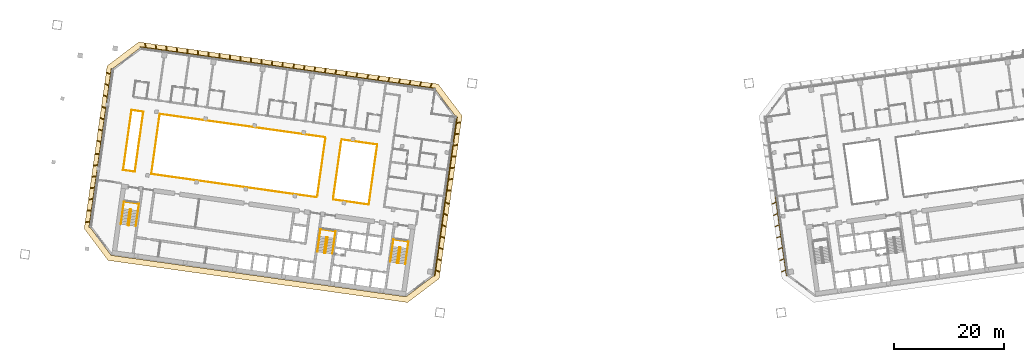
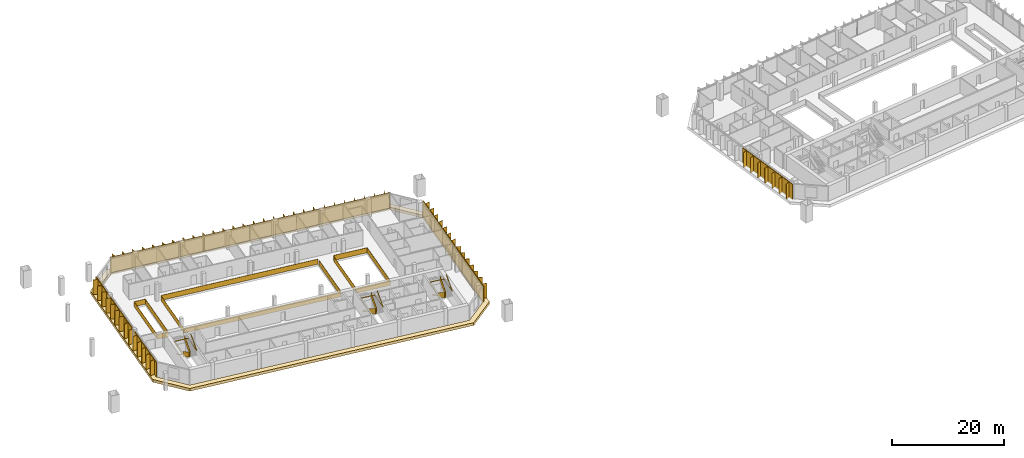
# One storey, part 25 of 26: 11 railings, 9 shading devices, 1 covering.
"""IFC4 building model written with IfcOpenShell, lengths in metres."""

from ifc_helpers import new_model, si_unit, direction, frame, origin, origin_2d, place, context, subcontext, project, spatial, polyline, rectangle, outline, extrude, material, layer, layer_set, type_object, element, save


model = new_model("IFC4")

# Units and contexts
model_context = context("Model", 3, precision=1e-05, world=origin(), true_north=direction((0.0, 1.0)))
body_context = subcontext(model_context, "Body", "Model", "MODEL_VIEW")
ifc_project = project(units=[si_unit("LENGTHUNIT", "METRE"), si_unit("AREAUNIT", "SQUARE_METRE"), si_unit("VOLUMEUNIT", "CUBIC_METRE"), si_unit("PLANEANGLEUNIT", "RADIAN"), si_unit("MASSUNIT", "GRAM", prefix="KILO")], contexts=[model_context])

# Site, building, storey
site_placement = place(None, origin())
site = spatial("IfcSite", under=ifc_project, at=site_placement, CompositionType="ELEMENT")
building_placement = place(site_placement, origin())
building = spatial("IfcBuilding", under=site, at=building_placement, Name="Mirante Cascada Hotel Towers", CompositionType="ELEMENT")
storey_placement = place(building_placement, frame((0.0, 0.0, 98.7)))
storey = spatial("IfcBuildingStorey", under=building, at=storey_placement, Name="L21", CompositionType="ELEMENT", Elevation=98.7)

# Railings
ifc_material_1 = material(Name="Toughened glass with stainless steel handrail", Category="steel")
railing_type_1 = type_object("IfcRailingType", Name="Atrium guard 1100 glass balustrade", PredefinedType="GUARDRAIL", material=ifc_material_1)
railing_1_placement = place(storey_placement, frame((-48.76, 8.3112, 0.0)))
element("IfcRailing", 1, at=railing_1_placement, inside=storey, type_object=railing_type_1, Name="GUARD 1-L21-1", PredefinedType="GUARDRAIL", context=body_context, shape_type="SweptSolid", body=[
    extrude(rectangle(XDim=0.048, YDim=0.048, at=origin_2d()), frame((0.0, 0.0, 1.076), z_axis=(0.9902694, -0.1391638, 0.0), x_axis=(0.1391638, 0.9902694, 0.0)), (0.0, 0.0, 1.0), 6.5125),
    extrude(rectangle(XDim=0.02, YDim=1.052, at=origin_2d()), frame((0.0, 0.0, 0.526), z_axis=(0.9902694, -0.1391638, 0.0), x_axis=(0.1391638, 0.9902694, 0.0)), (0.0, 0.0, 1.0), 6.5125),
    extrude(rectangle(XDim=0.048, YDim=0.048, at=origin_2d()), frame((6.4491, -0.9063, 1.076), z_axis=(-0.1391721, -0.9902682, 0.0), x_axis=(0.9902682, -0.1391721, 0.0)), (0.0, 0.0, 1.0), 11.0001),
    extrude(rectangle(XDim=0.02, YDim=1.052, at=origin_2d()), frame((6.4491, -0.9063, 0.526), z_axis=(-0.1391721, -0.9902682, 0.0), x_axis=(0.9902682, -0.1391721, 0.0)), (0.0, 0.0, 1.0), 11.0001),
    extrude(rectangle(XDim=0.048, YDim=0.048, at=origin_2d()), frame((4.9182, -11.7993, 1.076), z_axis=(-0.9902673, 0.1391788, 0.0), x_axis=(-0.1391788, -0.9902673, 0.0)), (0.0, 0.0, 1.0), 6.5125),
    extrude(rectangle(XDim=0.02, YDim=1.052, at=origin_2d()), frame((4.9182, -11.7993, 0.526), z_axis=(-0.9902673, 0.1391788, 0.0), x_axis=(-0.1391788, -0.9902673, 0.0)), (0.0, 0.0, 1.0), 6.5125),
])
railing_2_placement = place(storey_placement, frame((-53.2617, -2.1642, 0.0)))
element("IfcRailing", 2, at=railing_2_placement, inside=storey, type_object=railing_type_1, Name="GUARD 1-L21-2", PredefinedType="GUARDRAIL", context=body_context, shape_type="SweptSolid", body=[
    extrude(rectangle(XDim=0.048, YDim=0.048, at=origin_2d()), frame((0.0, 0.0, 1.076), z_axis=(-0.9902682, 0.1391722, 0.0), x_axis=(-0.1391722, -0.9902682, 0.0)), (0.0, 0.0, 1.0), 30.325),
    extrude(rectangle(XDim=0.02, YDim=1.052, at=origin_2d()), frame((0.0, 0.0, 0.526), z_axis=(-0.9902682, 0.1391722, 0.0), x_axis=(-0.1391722, -0.9902682, 0.0)), (0.0, 0.0, 1.0), 30.325),
    extrude(rectangle(XDim=0.048, YDim=0.048, at=origin_2d()), frame((-30.0299, 4.2204, 1.076), z_axis=(0.1391721, 0.9902682, 0.0), x_axis=(-0.9902682, 0.1391721, 0.0)), (0.0, 0.0, 1.0), 11.0001),
    extrude(rectangle(XDim=0.02, YDim=1.052, at=origin_2d()), frame((-30.0299, 4.2204, 0.526), z_axis=(0.1391721, 0.9902682, 0.0), x_axis=(-0.9902682, 0.1391721, 0.0)), (0.0, 0.0, 1.0), 11.0001),
    extrude(rectangle(XDim=0.048, YDim=0.048, at=origin_2d()), frame((-28.499, 15.1134, 1.076), z_axis=(0.9902682, -0.1391722, 0.0), x_axis=(0.1391722, 0.9902682, 0.0)), (0.0, 0.0, 1.0), 30.325),
    extrude(rectangle(XDim=0.02, YDim=1.052, at=origin_2d()), frame((-28.499, 15.1134, 0.526), z_axis=(0.9902682, -0.1391722, 0.0), x_axis=(0.1391722, 0.9902682, 0.0)), (0.0, 0.0, 1.0), 30.325),
])
railing_3_placement = place(storey_placement, frame((-86.2624, 2.4738, 0.0)))
element("IfcRailing", 3, at=railing_3_placement, inside=storey, type_object=railing_type_1, Name="GUARD 1-L21-3", PredefinedType="GUARDRAIL", context=body_context, shape_type="SweptSolid", body=[
    extrude(rectangle(XDim=0.048, YDim=0.048, at=origin_2d()), frame((0.0, 0.0, 1.076), z_axis=(-0.9902724, 0.1391422, 0.0), x_axis=(-0.1391422, -0.9902724, 0.0)), (0.0, 0.0, 1.0), 2.1625),
    extrude(rectangle(XDim=0.02, YDim=1.052, at=origin_2d()), frame((0.0, 0.0, 0.526), z_axis=(-0.9902724, 0.1391422, 0.0), x_axis=(-0.1391422, -0.9902724, 0.0)), (0.0, 0.0, 1.0), 2.1625),
    extrude(rectangle(XDim=0.048, YDim=0.048, at=origin_2d()), frame((-2.1415, 0.3009, 1.076), z_axis=(0.1391721, 0.9902682, 0.0), x_axis=(-0.9902682, 0.1391721, 0.0)), (0.0, 0.0, 1.0), 11.0001),
    extrude(rectangle(XDim=0.02, YDim=1.052, at=origin_2d()), frame((-2.1415, 0.3009, 0.526), z_axis=(0.1391721, 0.9902682, 0.0), x_axis=(-0.9902682, 0.1391721, 0.0)), (0.0, 0.0, 1.0), 11.0001),
    extrude(rectangle(XDim=0.048, YDim=0.048, at=origin_2d()), frame((-0.6106, 11.1939, 1.076), z_axis=(0.990266, -0.1391875, 0.0), x_axis=(0.1391875, 0.990266, 0.0)), (0.0, 0.0, 1.0), 2.1626),
    extrude(rectangle(XDim=0.02, YDim=1.052, at=origin_2d()), frame((-0.6106, 11.1939, 0.526), z_axis=(0.990266, -0.1391875, 0.0), x_axis=(0.1391875, 0.990266, 0.0)), (0.0, 0.0, 1.0), 2.1626),
    extrude(rectangle(XDim=0.048, YDim=0.048, at=origin_2d()), frame((1.5309, 10.8929, 1.076), z_axis=(-0.1391733, -0.990268, 0.0), x_axis=(0.990268, -0.1391733, 0.0)), (0.0, 0.0, 1.0), 11.0),
    extrude(rectangle(XDim=0.02, YDim=1.052, at=origin_2d()), frame((1.5309, 10.8929, 0.526), z_axis=(-0.1391733, -0.990268, 0.0), x_axis=(0.990268, -0.1391733, 0.0)), (0.0, 0.0, 1.0), 11.0),
])
railing_4_placement = place(storey_placement, frame((-53.172, -1.8782, 0.0)))
element("IfcRailing", 4, at=railing_4_placement, inside=storey, type_object=railing_type_1, Name="GUARD 1-L21-4", PredefinedType="GUARDRAIL", context=body_context, shape_type="SweptSolid", body=[
    extrude(rectangle(XDim=0.048, YDim=0.048, at=origin_2d()), frame((0.0, 0.0, 1.076), z_axis=(0.1391721, 0.9902682, 0.0), x_axis=(-0.9902682, 0.1391721, 0.0)), (0.0, 0.0, 1.0), 10.4087),
    extrude(rectangle(XDim=0.02, YDim=1.052, at=origin_2d()), frame((0.0, 0.0, 0.526), z_axis=(0.1391721, 0.9902682, 0.0), x_axis=(-0.9902682, 0.1391721, 0.0)), (0.0, 0.0, 1.0), 10.4087),
])
railing_5_placement = place(storey_placement, frame((-48.8497, 8.0253, 0.0)))
element("IfcRailing", 5, at=railing_5_placement, inside=storey, type_object=railing_type_1, Name="GUARD 1-L21-5", PredefinedType="GUARDRAIL", context=body_context, shape_type="SweptSolid", body=[
    extrude(rectangle(XDim=0.048, YDim=0.048, at=origin_2d()), frame((0.0, 0.0, 1.076), z_axis=(-0.1391708, -0.9902684, 0.0), x_axis=(0.9902684, -0.1391708, 0.0)), (0.0, 0.0, 1.0), 10.4088),
    extrude(rectangle(XDim=0.02, YDim=1.052, at=origin_2d()), frame((0.0, 0.0, 0.526), z_axis=(-0.1391708, -0.9902684, 0.0), x_axis=(0.9902684, -0.1391708, 0.0)), (0.0, 0.0, 1.0), 10.4088),
])

# Covering
ifc_material_2 = material(Name="Precast concrete C40/50 white", Category="concrete")
ifc_layer = layer(ifc_material_2, 0.6)
ifc_layer_set = layer_set([ifc_layer], Name="Precast concrete SUNSHADE band 1000x600")
covering_type = type_object("IfcCoveringType", Name="Precast concrete SUNSHADE band 1000x600", PredefinedType="CLADDING", material=ifc_layer_set)
covering_placement = place(storey_placement, frame((0.0, 0.0, -0.45)))
element("IfcCovering", 6, at=covering_placement, inside=storey, type_object=covering_type, Name="Precast concrete SUNSHADE band T1 L21", PredefinedType="CLADDING", context=body_context, shape_type="SweptSolid", body=[
    extrude(outline(polyline([(-95.4528, -7.862), (-91.3015, 21.6761), (-85.5574, 26.0046), (-31.2626, 18.374), (-26.9341, 12.6299), (-31.0854, -16.9082), (-36.8295, -21.2367), (-91.1243, -13.6061), (-95.4528, -7.862)]), holes=[polyline([(-27.982, 12.3589), (-31.8119, 17.4414), (-85.2864, 24.9567), (-90.3689, 21.1268), (-94.4049, -7.591), (-90.575, -12.6735), (-37.1005, -20.1888), (-32.018, -16.3589), (-27.982, 12.3589)])]), origin(), (0.0, 0.0, 1.0), 0.6),
])

# Railings
ifc_material_3 = material(Name="Painted steel", Category="steel")
railing_type_2 = type_object("IfcRailingType", Name="Stair guard 1100 steel balustrade", PredefinedType="GUARDRAIL", material=ifc_material_3)
railing_6_placement = place(storey_placement, frame((-38.1178, -11.2603, 0.0)))
element("IfcRailing", 7, at=railing_6_placement, inside=storey, type_object=railing_type_2, Name="L21 ST1-A stair guard 1", PredefinedType="GUARDRAIL", context=body_context, shape_type="SweptSolid", body=[
    extrude(rectangle(XDim=0.048, YDim=0.048, at=origin_2d()), frame((0.0, 0.0, 1.076), z_axis=(-0.9903326, 0.1387133, 0.0), x_axis=(-0.1387133, -0.9903326, 0.0)), (0.0, 0.0, 1.0), 0.1499),
    extrude(rectangle(XDim=0.02, YDim=1.052, at=origin_2d()), frame((0.0, 0.0, 0.526), z_axis=(-0.9903326, 0.1387133, 0.0), x_axis=(-0.1387133, -0.9903326, 0.0)), (0.0, 0.0, 1.0), 0.1499),
    extrude(rectangle(XDim=0.048, YDim=0.048, at=origin_2d()), frame((-0.1485, 0.0208, 1.076), z_axis=(-0.7991505, -0.6011309, 0.0), x_axis=(0.6011309, -0.7991505, 0.0)), (0.0, 0.9254529, 0.3788627), 0.1866),
    extrude(rectangle(XDim=0.02, YDim=1.052, at=origin_2d()), frame((-0.1485, 0.0208, 0.526), z_axis=(-0.7991505, -0.6011309, 0.0), x_axis=(0.6011309, -0.7991505, 0.0)), (0.0, 0.9254529, 0.3788627), 0.1866),
    extrude(rectangle(XDim=0.048, YDim=0.048, at=origin_2d()), frame((-0.205, -0.0217, 1.2487), z_axis=(-0.139176, -0.9902677, 0.0), x_axis=(0.9902677, -0.139176, 0.0)), (0.0, 0.5250212, 0.8510891), 3.29),
    extrude(rectangle(XDim=0.02, YDim=1.052, at=origin_2d()), frame((-0.205, -0.0217, 0.6987), z_axis=(-0.139176, -0.9902677, 0.0), x_axis=(0.9902677, -0.139176, 0.0)), (0.0, 0.5250212, 0.8510891), 3.29),
    extrude(rectangle(XDim=0.048, YDim=0.048, at=origin_2d()), frame((-0.5947, -2.7945, 2.976), z_axis=(0.9270311, -0.3749843, 0.0), x_axis=(0.3749843, 0.9270311, 0.0)), (0.0, 0.0, 1.0), 0.2061),
    extrude(rectangle(XDim=0.02, YDim=1.052, at=origin_2d()), frame((-0.5947, -2.7945, 2.426), z_axis=(0.9270311, -0.3749843, 0.0), x_axis=(0.3749843, 0.9270311, 0.0)), (0.0, 0.0, 1.0), 0.2061),
    extrude(rectangle(XDim=0.048, YDim=0.048, at=origin_2d()), frame((-0.4036, -2.8718, 2.976), z_axis=(-0.9902408, 0.1393672, 0.0), x_axis=(-0.1393672, -0.9902408, 0.0)), (0.0, 0.0, 1.0), 0.15),
    extrude(rectangle(XDim=0.02, YDim=1.052, at=origin_2d()), frame((-0.4036, -2.8718, 2.426), z_axis=(-0.9902408, 0.1393672, 0.0), x_axis=(-0.1393672, -0.9902408, 0.0)), (0.0, 0.0, 1.0), 0.15),
    extrude(rectangle(XDim=0.048, YDim=0.048, at=origin_2d()), frame((-0.5521, -2.8509, 2.976), z_axis=(0.9944948, 0.1047858, 0.0), x_axis=(-0.1047858, 0.9944948, 0.0)), (0.0, 0.6422034, 0.7665343), 0.2689),
    extrude(rectangle(XDim=0.02, YDim=1.052, at=origin_2d()), frame((-0.5521, -2.8509, 2.426), z_axis=(0.9944948, 0.1047858, 0.0), x_axis=(-0.1047858, 0.9944948, 0.0)), (0.0, 0.6422034, 0.7665343), 0.2689),
    extrude(rectangle(XDim=0.048, YDim=0.048, at=origin_2d()), frame((-0.3471, -2.8293, 3.1487), z_axis=(0.139176, 0.9902677, 0.0), x_axis=(-0.9902677, 0.139176, 0.0)), (0.0, 0.5250212, 0.8510891), 3.29),
    extrude(rectangle(XDim=0.02, YDim=1.052, at=origin_2d()), frame((-0.3471, -2.8293, 2.5987), z_axis=(0.139176, 0.9902677, 0.0), x_axis=(-0.9902677, 0.139176, 0.0)), (0.0, 0.5250212, 0.8510891), 3.29),
])
railing_7_placement = place(storey_placement, frame((-51.3379, -9.4024, 0.0)))
element("IfcRailing", 8, at=railing_7_placement, inside=storey, type_object=railing_type_2, Name="L21 ST1-B stair guard 1", PredefinedType="GUARDRAIL", context=body_context, shape_type="SweptSolid", body=[
    extrude(rectangle(XDim=0.048, YDim=0.048, at=origin_2d()), frame((0.0, 0.0, 1.076), z_axis=(-0.9902408, 0.1393672, 0.0), x_axis=(-0.1393672, -0.9902408, 0.0)), (0.0, 0.0, 1.0), 0.15),
    extrude(rectangle(XDim=0.02, YDim=1.052, at=origin_2d()), frame((0.0, 0.0, 0.526), z_axis=(-0.9902408, 0.1393672, 0.0), x_axis=(-0.1393672, -0.9902408, 0.0)), (0.0, 0.0, 1.0), 0.15),
    extrude(rectangle(XDim=0.048, YDim=0.048, at=origin_2d()), frame((-0.1485, 0.0209, 1.076), z_axis=(-0.7984711, -0.6020331, 0.0), x_axis=(0.6020331, -0.7984711, 0.0)), (0.0, 0.9253398, 0.3791387), 0.1866),
    extrude(rectangle(XDim=0.02, YDim=1.052, at=origin_2d()), frame((-0.1485, 0.0209, 0.526), z_axis=(-0.7984711, -0.6020331, 0.0), x_axis=(0.6020331, -0.7984711, 0.0)), (0.0, 0.9253398, 0.3791387), 0.1866),
    extrude(rectangle(XDim=0.048, YDim=0.048, at=origin_2d()), frame((-0.205, -0.0217, 1.2487), z_axis=(-0.139181, -0.990267, 0.0), x_axis=(0.990267, -0.139181, 0.0)), (0.0, 0.5250347, 0.8510808), 3.2899),
    extrude(rectangle(XDim=0.02, YDim=1.052, at=origin_2d()), frame((-0.205, -0.0217, 0.6987), z_axis=(-0.139181, -0.990267, 0.0), x_axis=(0.990267, -0.139181, 0.0)), (0.0, 0.5250347, 0.8510808), 3.2899),
    extrude(rectangle(XDim=0.048, YDim=0.048, at=origin_2d()), frame((-0.5947, -2.7944, 2.976), z_axis=(0.9268624, -0.3754011, 0.0), x_axis=(0.3754011, 0.9268624, 0.0)), (0.0, 0.0, 1.0), 0.2062),
    extrude(rectangle(XDim=0.02, YDim=1.052, at=origin_2d()), frame((-0.5947, -2.7944, 2.426), z_axis=(0.9268624, -0.3754011, 0.0), x_axis=(0.3754011, 0.9268624, 0.0)), (0.0, 0.0, 1.0), 0.2062),
    extrude(rectangle(XDim=0.048, YDim=0.048, at=origin_2d()), frame((-0.4036, -2.8718, 2.976), z_axis=(-0.9902408, 0.1393672, 0.0), x_axis=(-0.1393672, -0.9902408, 0.0)), (0.0, 0.0, 1.0), 0.15),
    extrude(rectangle(XDim=0.02, YDim=1.052, at=origin_2d()), frame((-0.4036, -2.8718, 2.426), z_axis=(-0.9902408, 0.1393672, 0.0), x_axis=(-0.1393672, -0.9902408, 0.0)), (0.0, 0.0, 1.0), 0.15),
    extrude(rectangle(XDim=0.048, YDim=0.048, at=origin_2d()), frame((-0.5521, -2.8509, 2.976), z_axis=(0.9944441, 0.1052656, 0.0), x_axis=(-0.1052656, 0.9944441, 0.0)), (0.0, 0.6421842, 0.7665504), 0.2689),
    extrude(rectangle(XDim=0.02, YDim=1.052, at=origin_2d()), frame((-0.5521, -2.8509, 2.426), z_axis=(0.9944441, 0.1052656, 0.0), x_axis=(-0.1052656, 0.9944441, 0.0)), (0.0, 0.6421842, 0.7665504), 0.2689),
    extrude(rectangle(XDim=0.048, YDim=0.048, at=origin_2d()), frame((-0.3471, -2.8292, 3.1487), z_axis=(0.139181, 0.990267, 0.0), x_axis=(-0.990267, 0.139181, 0.0)), (0.0, 0.5250347, 0.8510808), 3.2899),
    extrude(rectangle(XDim=0.02, YDim=1.052, at=origin_2d()), frame((-0.3471, -2.8292, 2.5987), z_axis=(0.139181, 0.990267, 0.0), x_axis=(-0.990267, 0.139181, 0.0)), (0.0, 0.5250347, 0.8510808), 3.2899),
])
railing_8_placement = place(storey_placement, frame((-86.9875, -4.3922, 0.0)))
element("IfcRailing", 9, at=railing_8_placement, inside=storey, type_object=railing_type_2, Name="L21 ST1-C stair guard 1", PredefinedType="GUARDRAIL", context=body_context, shape_type="SweptSolid", body=[
    extrude(rectangle(XDim=0.048, YDim=0.048, at=origin_2d()), frame((0.0, 0.0, 1.076), z_axis=(-0.9902537, 0.1392753, 0.0), x_axis=(-0.1392753, -0.9902537, 0.0)), (0.0, 0.0, 1.0), 0.1501),
    extrude(rectangle(XDim=0.02, YDim=1.052, at=origin_2d()), frame((0.0, 0.0, 0.526), z_axis=(-0.9902537, 0.1392753, 0.0), x_axis=(-0.1392753, -0.9902537, 0.0)), (0.0, 0.0, 1.0), 0.1501),
    extrude(rectangle(XDim=0.048, YDim=0.048, at=origin_2d()), frame((-0.1486, 0.0209, 1.076), z_axis=(-0.7986386, -0.601811, 0.0), x_axis=(0.601811, -0.7986386, 0.0)), (0.0, 0.925603, 0.3784959), 0.1866),
    extrude(rectangle(XDim=0.02, YDim=1.052, at=origin_2d()), frame((-0.1486, 0.0209, 0.526), z_axis=(-0.7986386, -0.601811, 0.0), x_axis=(0.601811, -0.7986386, 0.0)), (0.0, 0.925603, 0.3784959), 0.1866),
    extrude(rectangle(XDim=0.048, YDim=0.048, at=origin_2d()), frame((-0.205, -0.0216, 1.2487), z_axis=(-0.139176, -0.9902677, 0.0), x_axis=(0.9902677, -0.139176, 0.0)), (0.0, 0.5250212, 0.8510891), 3.29),
    extrude(rectangle(XDim=0.02, YDim=1.052, at=origin_2d()), frame((-0.205, -0.0216, 0.6987), z_axis=(-0.139176, -0.9902677, 0.0), x_axis=(0.9902677, -0.139176, 0.0)), (0.0, 0.5250212, 0.8510891), 3.29),
    extrude(rectangle(XDim=0.048, YDim=0.048, at=origin_2d()), frame((-0.5947, -2.7944, 2.976), z_axis=(0.9270311, -0.3749843, 0.0), x_axis=(0.3749843, 0.9270311, 0.0)), (0.0, 0.0, 1.0), 0.2061),
    extrude(rectangle(XDim=0.02, YDim=1.052, at=origin_2d()), frame((-0.5947, -2.7944, 2.426), z_axis=(0.9270311, -0.3749843, 0.0), x_axis=(0.3749843, 0.9270311, 0.0)), (0.0, 0.0, 1.0), 0.2061),
    extrude(rectangle(XDim=0.048, YDim=0.048, at=origin_2d()), frame((-0.4036, -2.8717, 2.976), z_axis=(-0.9903454, 0.1386217, 0.0), x_axis=(-0.1386217, -0.9903454, 0.0)), (0.0, 0.0, 1.0), 0.15),
    extrude(rectangle(XDim=0.02, YDim=1.052, at=origin_2d()), frame((-0.4036, -2.8717, 2.426), z_axis=(-0.9903454, 0.1386217, 0.0), x_axis=(-0.1386217, -0.9903454, 0.0)), (0.0, 0.0, 1.0), 0.15),
    extrude(rectangle(XDim=0.048, YDim=0.048, at=origin_2d()), frame((-0.5522, -2.8509, 2.976), z_axis=(0.9944441, 0.1052656, 0.0), x_axis=(-0.1052656, 0.9944441, 0.0)), (0.0, 0.6421842, 0.7665504), 0.2689),
    extrude(rectangle(XDim=0.02, YDim=1.052, at=origin_2d()), frame((-0.5522, -2.8509, 2.426), z_axis=(0.9944441, 0.1052656, 0.0), x_axis=(-0.1052656, 0.9944441, 0.0)), (0.0, 0.6421842, 0.7665504), 0.2689),
    extrude(rectangle(XDim=0.048, YDim=0.048, at=origin_2d()), frame((-0.3472, -2.8292, 3.1487), z_axis=(0.139176, 0.9902677, 0.0), x_axis=(-0.9902677, 0.139176, 0.0)), (0.0, 0.5250212, 0.8510891), 3.29),
    extrude(rectangle(XDim=0.02, YDim=1.052, at=origin_2d()), frame((-0.3472, -2.8292, 2.5987), z_axis=(0.139176, 0.9902677, 0.0), x_axis=(-0.9902677, 0.139176, 0.0)), (0.0, 0.5250212, 0.8510891), 3.29),
])
ifc_material_4 = material(Name="Painted steel", Category="steel")
railing_type_3 = type_object("IfcRailingType", Name="Stair handrail 900 steel tube", PredefinedType="HANDRAIL", material=ifc_material_4)
railing_9_placement = place(storey_placement, frame((-39.5606, -11.1081, 0.1727)))
element("IfcRailing", 10, at=railing_9_placement, inside=storey, type_object=railing_type_3, Name="L21 ST1-A stair handrail 1", PredefinedType="HANDRAIL", context=body_context, shape_type="SweptSolid", body=[
    extrude(rectangle(XDim=0.048, YDim=0.048, at=origin_2d()), frame((0.0, 0.0, 0.876), z_axis=(-0.139181, -0.990267, 0.0), x_axis=(0.990267, -0.139181, 0.0)), (0.0, 0.5250347, 0.8510808), 3.2899),
    extrude(rectangle(XDim=0.048, YDim=0.048, at=origin_2d()), frame((-0.3897, -2.7727, 2.6033), z_axis=(0.1391707, 0.9902684, 0.0), x_axis=(-0.9902684, 0.1391707, 0.0)), (0.0, 0.0420846, 0.999114), 4.1036),
    extrude(rectangle(XDim=0.048, YDim=0.048, at=origin_2d()), frame((0.1809, 1.2874, 2.776), z_axis=(0.9902691, -0.1391657, 0.0), x_axis=(0.1391657, 0.9902691, 0.0)), (0.0, 0.0, 1.0), 2.75),
    extrude(rectangle(XDim=0.048, YDim=0.048, at=origin_2d()), frame((2.9041, 0.9047, 2.776), z_axis=(-0.1391707, -0.9902684, 0.0), x_axis=(0.9902684, -0.1391707, 0.0)), (0.0, 0.0, 1.0), 4.1),
    extrude(rectangle(XDim=0.048, YDim=0.048, at=origin_2d()), frame((2.3335, -3.1554, 2.776), z_axis=(0.139181, 0.990267, 0.0), x_axis=(-0.990267, 0.139181, 0.0)), (0.0, 0.5250347, 0.8510808), 3.2899),
])
railing_10_placement = place(storey_placement, frame((-52.7807, -9.2501, 0.1727)))
element("IfcRailing", 11, at=railing_10_placement, inside=storey, type_object=railing_type_3, Name="L21 ST1-B stair handrail 1", PredefinedType="HANDRAIL", context=body_context, shape_type="SweptSolid", body=[
    extrude(rectangle(XDim=0.048, YDim=0.048, at=origin_2d()), frame((0.0, 0.0, 0.876), z_axis=(-0.139181, -0.990267, 0.0), x_axis=(0.990267, -0.139181, 0.0)), (0.0, 0.5250347, 0.8510808), 3.2899),
    extrude(rectangle(XDim=0.048, YDim=0.048, at=origin_2d()), frame((-0.3897, -2.7727, 2.6033), z_axis=(0.1391707, 0.9902684, 0.0), x_axis=(-0.9902684, 0.1391707, 0.0)), (0.0, 0.0420846, 0.999114), 4.1036),
    extrude(rectangle(XDim=0.048, YDim=0.048, at=origin_2d()), frame((0.1809, 1.2874, 2.776), z_axis=(0.9902641, -0.1392013, 0.0), x_axis=(0.1392013, 0.9902641, 0.0)), (0.0, 0.0, 1.0), 2.75),
    extrude(rectangle(XDim=0.048, YDim=0.048, at=origin_2d()), frame((2.9041, 0.9046, 2.776), z_axis=(-0.1391707, -0.9902684, 0.0), x_axis=(0.9902684, -0.1391707, 0.0)), (0.0, 0.0, 1.0), 4.1),
    extrude(rectangle(XDim=0.048, YDim=0.048, at=origin_2d()), frame((2.3335, -3.1555, 2.776), z_axis=(0.139176, 0.9902677, 0.0), x_axis=(-0.9902677, 0.139176, 0.0)), (0.0, 0.5250212, 0.8510891), 3.29),
])
railing_11_placement = place(storey_placement, frame((-88.4304, -4.2399, 0.1727)))
element("IfcRailing", 12, at=railing_11_placement, inside=storey, type_object=railing_type_3, Name="L21 ST1-C stair handrail 1", PredefinedType="HANDRAIL", context=body_context, shape_type="SweptSolid", body=[
    extrude(rectangle(XDim=0.048, YDim=0.048, at=origin_2d()), frame((0.0, 0.0, 0.876), z_axis=(-0.139181, -0.990267, 0.0), x_axis=(0.990267, -0.139181, 0.0)), (0.0, 0.5250347, 0.8510808), 3.2899),
    extrude(rectangle(XDim=0.048, YDim=0.048, at=origin_2d()), frame((-0.3897, -2.7727, 2.6033), z_axis=(0.1391947, 0.990265, 0.0), x_axis=(-0.990265, 0.1391947, 0.0)), (0.0, 0.0420845, 0.9991141), 4.1036),
    extrude(rectangle(XDim=0.048, YDim=0.048, at=origin_2d()), frame((0.181, 1.2874, 2.776), z_axis=(0.9902691, -0.1391657, 0.0), x_axis=(0.1391657, 0.9902691, 0.0)), (0.0, 0.0, 1.0), 2.75),
    extrude(rectangle(XDim=0.048, YDim=0.048, at=origin_2d()), frame((2.9042, 0.9047, 2.776), z_axis=(-0.1391707, -0.9902684, 0.0), x_axis=(0.9902684, -0.1391707, 0.0)), (0.0, 0.0, 1.0), 4.1),
    extrude(rectangle(XDim=0.048, YDim=0.048, at=origin_2d()), frame((2.3336, -3.1554, 2.776), z_axis=(0.139181, 0.990267, 0.0), x_axis=(-0.990267, 0.139181, 0.0)), (0.0, 0.5250347, 0.8510808), 3.2899),
])

# Shading devices
ifc_material_5 = material(Name="White precast concrete C50/60 fin", Category="concrete")
shading_device_type = type_object("IfcShadingDeviceType", Name="Vertical fin set 4500x900", PredefinedType="USERDEFINED", material=ifc_material_5)
shading_device_1_placement = place(storey_placement, origin())
element("IfcShadingDevice", 13, at=shading_device_1_placement, inside=storey, type_object=shading_device_type, Name="FIN T1 L21 front 1", ObjectType="FIN", PredefinedType="USERDEFINED", context=body_context, shape_type="SweptSolid", body=[
    extrude(outline(polyline([(-72.8241, 23.3567), (-71.8969, 23.2264), (-71.9178, 23.0779), (-85.2864, 24.9567), (-85.2655, 25.1053), (-84.3649, 24.9787), (-84.467, 25.81), (-84.3876, 25.8197), (-84.2829, 24.9672), (-82.4551, 24.7103), (-82.5572, 25.5416), (-82.4778, 25.5513), (-82.3731, 24.6988), (-80.5453, 24.4419), (-80.6474, 25.2732), (-80.5679, 25.2829), (-80.4633, 24.4303), (-78.6355, 24.1735), (-78.7376, 25.0047), (-78.6581, 25.0145), (-78.5535, 24.1619), (-76.7257, 23.9051), (-76.8277, 24.7363), (-76.7483, 24.7461), (-76.6437, 23.8935), (-74.8159, 23.6367), (-74.9179, 24.4679), (-74.8385, 24.4777), (-74.7339, 23.6251), (-72.9061, 23.3683), (-73.0081, 24.1995), (-72.9287, 24.2093), (-72.8241, 23.3567)])), origin(), (0.0, 0.0, 1.0), 3.35),
])
shading_device_2_placement = place(storey_placement, origin())
element("IfcShadingDevice", 14, at=shading_device_2_placement, inside=storey, type_object=shading_device_type, Name="FIN T1 L21 front 2", ObjectType="FIN", PredefinedType="USERDEFINED", context=body_context, shape_type="SweptSolid", body=[
    extrude(outline(polyline([(-59.4478, 21.4768), (-58.5283, 21.3476), (-58.5492, 21.199), (-71.9178, 23.0779), (-71.8969, 23.2264), (-70.9861, 23.0984), (-70.9418, 23.9436), (-70.8619, 23.9394), (-70.9066, 23.0872), (-69.0763, 22.83), (-69.032, 23.6752), (-68.9521, 23.671), (-68.9968, 22.8188), (-67.1665, 22.5616), (-67.1222, 23.4068), (-67.0423, 23.4026), (-67.087, 22.5504), (-65.2567, 22.2932), (-65.2124, 23.1384), (-65.1325, 23.1342), (-65.1772, 22.282), (-63.3469, 22.0248), (-63.3026, 22.8699), (-63.2227, 22.8658), (-63.2674, 22.0136), (-61.4371, 21.7564), (-61.3928, 22.6015), (-61.3129, 22.5974), (-61.3576, 21.7452), (-59.5273, 21.488), (-59.483, 22.3331), (-59.4031, 22.3289), (-59.4478, 21.4768)])), origin(), (0.0, 0.0, 1.0), 3.35),
])
shading_device_3_placement = place(storey_placement, origin())
element("IfcShadingDevice", 15, at=shading_device_3_placement, inside=storey, type_object=shading_device_type, Name="FIN T1 L21 front 3", ObjectType="FIN", PredefinedType="USERDEFINED", context=body_context, shape_type="SweptSolid", body=[
    extrude(outline(polyline([(-46.0705, 19.5968), (-45.1597, 19.4687), (-45.1805, 19.3202), (-58.5492, 21.199), (-58.5283, 21.3476), (-57.6088, 21.2184), (-57.4169, 22.0498), (-57.3389, 22.0318), (-57.5293, 21.2072), (-55.699, 20.95), (-55.5071, 21.7814), (-55.4291, 21.7634), (-55.6195, 20.9388), (-53.7892, 20.6816), (-53.5973, 21.513), (-53.5193, 21.495), (-53.7097, 20.6704), (-51.8794, 20.4131), (-51.6874, 21.2446), (-51.6095, 21.2266), (-51.7999, 20.402), (-49.9696, 20.1447), (-49.7776, 20.9762), (-49.6997, 20.9582), (-49.8901, 20.1336), (-48.0598, 19.8763), (-47.8678, 20.7078), (-47.7899, 20.6898), (-47.9803, 19.8652), (-46.15, 19.6079), (-45.958, 20.4394), (-45.8801, 20.4214), (-46.0705, 19.5968)])), origin(), (0.0, 0.0, 1.0), 3.35),
])
shading_device_4_placement = place(storey_placement, origin())
element("IfcShadingDevice", 16, at=shading_device_4_placement, inside=storey, type_object=shading_device_type, Name="FIN T1 L21 front 4", ObjectType="FIN", PredefinedType="USERDEFINED", context=body_context, shape_type="SweptSolid", body=[
    extrude(outline(polyline([(-32.6917, 17.7165), (-31.791, 17.5899), (-31.8119, 17.4414), (-45.1805, 19.3202), (-45.1597, 19.4687), (-44.2325, 19.3384), (-43.8969, 20.1291), (-43.8232, 20.0979), (-44.1505, 19.3269), (-42.3227, 19.07), (-41.9871, 19.8607), (-41.9134, 19.8295), (-42.2407, 19.0585), (-40.4129, 18.8016), (-40.0773, 19.5923), (-40.0036, 19.561), (-40.3309, 18.7901), (-38.5031, 18.5332), (-38.1675, 19.3239), (-38.0938, 19.2926), (-38.4211, 18.5217), (-36.5933, 18.2648), (-36.2577, 19.0555), (-36.184, 19.0242), (-36.5113, 18.2533), (-34.6835, 17.9964), (-34.3479, 18.7871), (-34.2742, 18.7558), (-34.6015, 17.9849), (-32.7737, 17.728), (-32.4381, 18.5187), (-32.3644, 18.4874), (-32.6917, 17.7165)])), origin(), (0.0, 0.0, 1.0), 3.35),
])
shading_device_5_placement = place(storey_placement, origin())
element("IfcShadingDevice", 17, at=shading_device_5_placement, inside=storey, type_object=shading_device_type, Name="FIN T1 L21 inner 1", ObjectType="FIN", PredefinedType="USERDEFINED", context=body_context, shape_type="SweptSolid", body=[
    extrude(outline(polyline([(-29.7112, -1.023), (-29.8515, -2.0209), (-30.0, -2.0), (-27.982, 12.3589), (-27.8334, 12.338), (-27.97, 11.3667), (-27.1387, 11.4687), (-27.1289, 11.3893), (-27.9815, 11.2846), (-28.2583, 9.3154), (-27.427, 9.4174), (-27.4172, 9.338), (-28.2698, 9.2334), (-28.5465, 7.2641), (-27.7153, 7.3662), (-27.7055, 7.2868), (-28.5581, 7.1821), (-28.8348, 5.2128), (-28.0036, 5.3149), (-27.9938, 5.2355), (-28.8464, 5.1308), (-29.1231, 3.1616), (-28.2918, 3.2636), (-28.2821, 3.1842), (-29.1346, 3.0796), (-29.4114, 1.1103), (-28.5801, 1.2124), (-28.5704, 1.133), (-29.4229, 1.0283), (-29.6997, -0.941), (-28.8684, -0.8389), (-28.8587, -0.9183), (-29.7112, -1.023)])), origin(), (0.0, 0.0, 1.0), 3.35),
])
shading_device_6_placement = place(storey_placement, origin())
element("IfcShadingDevice", 18, at=shading_device_6_placement, inside=storey, type_object=shading_device_type, Name="FIN T1 L21 inner 2", ObjectType="FIN", PredefinedType="USERDEFINED", context=body_context, shape_type="SweptSolid", body=[
    extrude(outline(polyline([(-31.733, -15.4084), (-31.8695, -16.3798), (-32.018, -16.3589), (-30.0, -2.0), (-29.8515, -2.0209), (-29.9917, -3.0188), (-29.201, -3.3544), (-29.2323, -3.428), (-30.0032, -3.1008), (-30.28, -5.07), (-29.4893, -5.4057), (-29.5206, -5.4793), (-30.2915, -5.1521), (-30.5683, -7.1213), (-29.7776, -7.4569), (-29.8089, -7.5306), (-30.5798, -7.2033), (-30.8566, -9.1726), (-30.0659, -9.5082), (-30.0972, -9.5818), (-30.8681, -9.2546), (-31.1449, -11.2238), (-30.3542, -11.5595), (-30.3854, -11.6331), (-31.1564, -11.3059), (-31.4331, -13.2751), (-30.6425, -13.6107), (-30.6737, -13.6844), (-31.4447, -13.3571), (-31.7214, -15.3264), (-30.9308, -15.662), (-30.962, -15.7356), (-31.733, -15.4084)])), origin(), (0.0, 0.0, 1.0), 3.35),
])
shading_device_7_placement = place(storey_placement, origin())
element("IfcShadingDevice", 19, at=shading_device_7_placement, inside=storey, type_object=shading_device_type, Name="FIN T1 L21 outer 1", ObjectType="FIN", PredefinedType="USERDEFINED", context=body_context, shape_type="SweptSolid", body=[
    extrude(outline(polyline([(-94.4054, -6.5167), (-94.1286, -4.5475), (-94.9599, -4.6495), (-94.9697, -4.5701), (-94.1171, -4.4655), (-93.8403, -2.4962), (-94.6716, -2.5983), (-94.6814, -2.5189), (-93.8288, -2.4142), (-93.5521, -0.4449), (-94.3833, -0.547), (-94.3931, -0.4676), (-93.5405, -0.3629), (-93.2638, 1.6063), (-94.095, 1.5043), (-94.1048, 1.5837), (-93.2522, 1.6883), (-92.9755, 3.6576), (-93.8068, 3.5555), (-93.8165, 3.6349), (-92.964, 3.7396), (-92.6872, 5.7089), (-93.5185, 5.6068), (-93.5282, 5.6862), (-92.6757, 5.7909), (-92.5354, 6.7888), (-92.3869, 6.7679), (-94.4049, -7.591), (-94.5534, -7.5701), (-94.4169, -6.5987), (-95.2482, -6.7008), (-95.2579, -6.6214), (-94.4054, -6.5167)])), origin(), (0.0, 0.0, 1.0), 3.35),
])
shading_device_8_placement = place(storey_placement, origin())
element("IfcShadingDevice", 20, at=shading_device_8_placement, inside=storey, type_object=shading_device_type, Name="FIN T1 L21 outer 2", ObjectType="FIN", PredefinedType="USERDEFINED", context=body_context, shape_type="SweptSolid", body=[
    extrude(outline(polyline([(-92.3837, 7.8687), (-92.1069, 9.8379), (-92.8976, 10.1736), (-92.8663, 10.2472), (-92.0954, 9.92), (-91.8186, 11.8892), (-92.6093, 12.2248), (-92.578, 12.2985), (-91.8071, 11.9712), (-91.5303, 13.9405), (-92.321, 14.2761), (-92.2897, 14.3497), (-91.5188, 14.0225), (-91.242, 15.9918), (-92.0327, 16.3274), (-92.0014, 16.401), (-91.2305, 16.0738), (-90.9537, 18.043), (-91.7444, 18.3786), (-91.7132, 18.4523), (-90.9422, 18.125), (-90.6655, 20.0943), (-91.4561, 20.4299), (-91.4249, 20.5036), (-90.6539, 20.1763), (-90.5174, 21.1477), (-90.3689, 21.1268), (-92.3869, 6.7679), (-92.5354, 6.7888), (-92.3952, 7.7867), (-93.1859, 8.1223), (-93.1546, 8.1959), (-92.3837, 7.8687)])), origin(), (0.0, 0.0, 1.0), 3.35),
])
shading_device_9_placement = place(storey_placement, origin())
element("IfcShadingDevice", 21, at=shading_device_9_placement, inside=storey, type_object=shading_device_type, Name="FIN T2 L21 inner 2", ObjectType="FIN", PredefinedType="USERDEFINED", context=body_context, shape_type="SweptSolid", body=[
    extrude(outline(polyline([(30.9308, -15.662), (31.7214, -15.3264), (31.4447, -13.3571), (30.6737, -13.6844), (30.6425, -13.6107), (31.4331, -13.2751), (31.1564, -11.3059), (30.3854, -11.6331), (30.3542, -11.5595), (31.1449, -11.2238), (30.8681, -9.2546), (30.0972, -9.5818), (30.0659, -9.5082), (30.8566, -9.1726), (30.5798, -7.2033), (29.8089, -7.5306), (29.7776, -7.4569), (30.5683, -7.1213), (30.2915, -5.1521), (29.5206, -5.4793), (29.4893, -5.4057), (30.28, -5.07), (30.0032, -3.1008), (29.2323, -3.428), (29.201, -3.3544), (29.9917, -3.0188), (29.8515, -2.0209), (30.0, -2.0), (32.018, -16.3589), (31.8695, -16.3798), (31.733, -15.4084), (30.962, -15.7356), (30.9308, -15.662)])), origin(), (0.0, 0.0, 1.0), 3.35),
])

save(model, "model.ifc")
